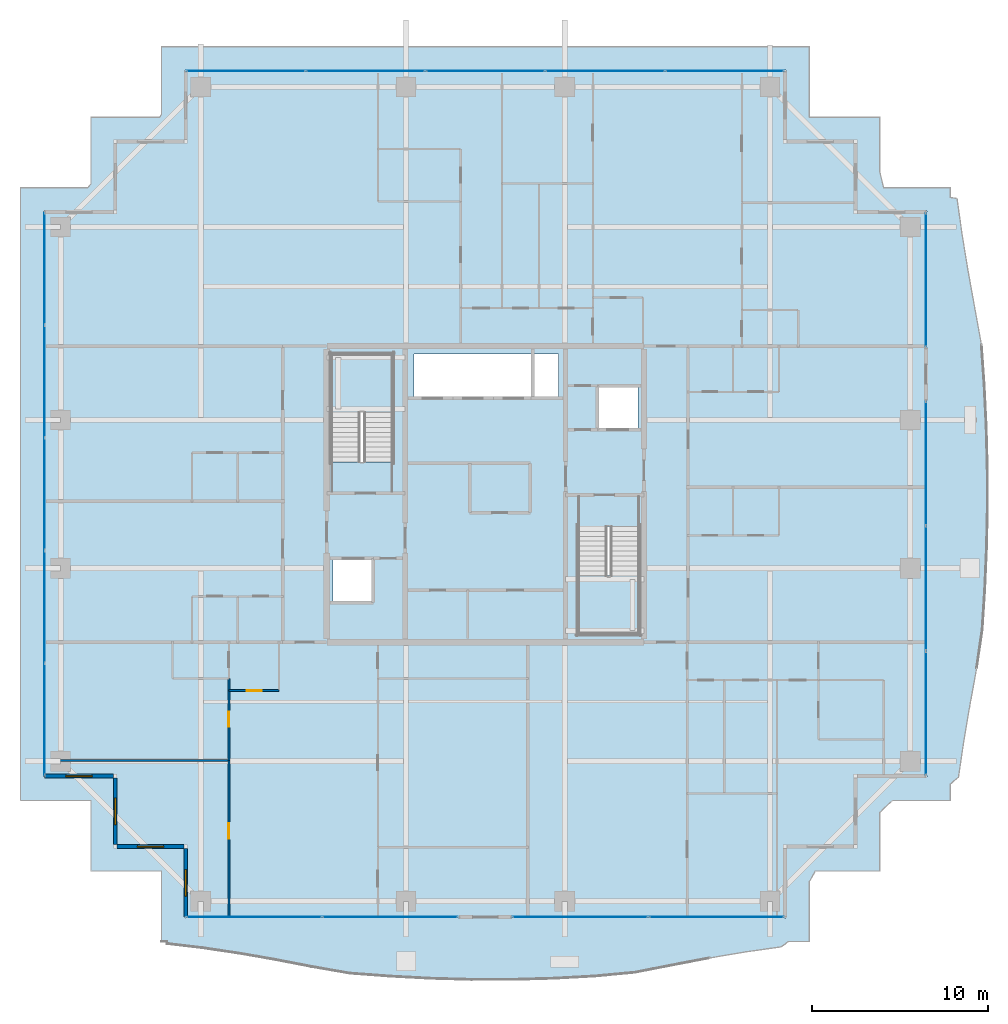
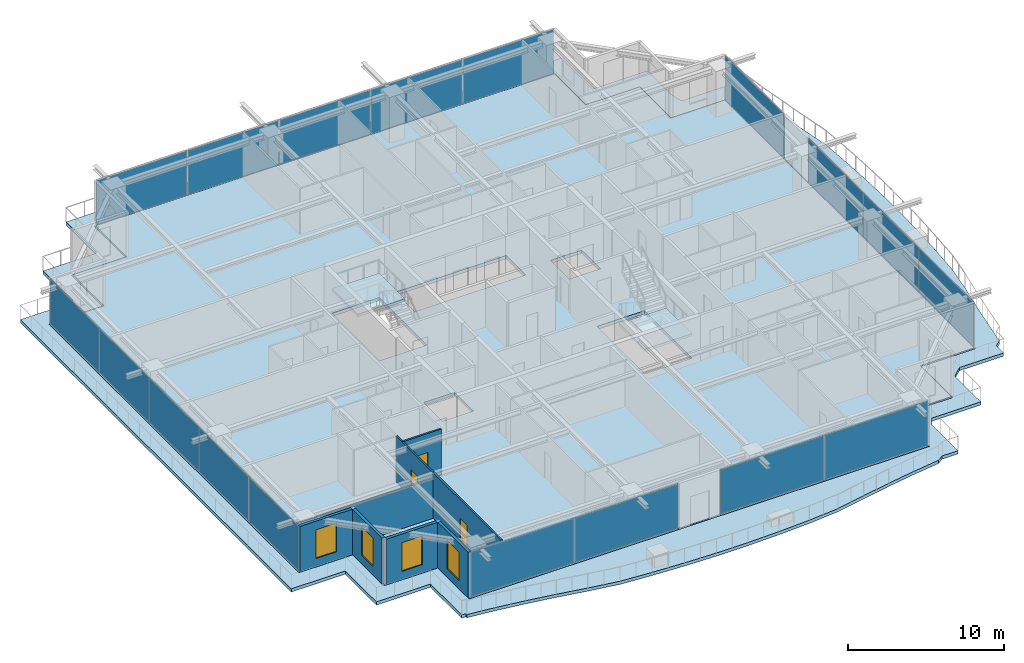
# One storey, part 25 of 37: 18 plates, 8 walls, 4 slabs, 4 windows, 3 doors, 7 openings, 8 elements without a shape of their own.
"""IFC4 building model written with IfcOpenShell, lengths in metres."""

from ifc_helpers import new_model, si_unit, direction, frame, frame_2d, origin, origin_2d, place, context, subcontext, project, spatial, polyline, rectangle, outline, extrude, source, transform, mapped, material, layer, layer_set, type_object, element, fill, aggregate, save


model = new_model("IFC4")

# Units and contexts
model_context = context("Model", 3, precision=1e-05, world=origin(), true_north=direction((0.0, 1.0)))
body_context = subcontext(model_context, "Body", "Model", "MODEL_VIEW")
ifc_project = project(units=[si_unit("LENGTHUNIT", "METRE"), si_unit("AREAUNIT", "SQUARE_METRE"), si_unit("VOLUMEUNIT", "CUBIC_METRE"), si_unit("PLANEANGLEUNIT", "RADIAN"), si_unit("MASSUNIT", "GRAM", prefix="KILO")], contexts=[model_context])

# Site, building, storey
site_placement = place(None, origin())
site = spatial("IfcSite", under=ifc_project, at=site_placement, CompositionType="ELEMENT")
building_placement = place(site_placement, origin())
building = spatial("IfcBuilding", under=site, at=building_placement, Name="Serunith Strait Residences", CompositionType="ELEMENT")
storey_placement = place(building_placement, frame((0.0, 0.0, 260.5)))
storey = spatial("IfcBuildingStorey", under=building, at=storey_placement, Name="L65", CompositionType="ELEMENT", Elevation=260.5)

# Slab
ifc_material_1 = material(Name="Concrete C50/60", Category="concrete")
ifc_layer_1 = layer(ifc_material_1, 0.239990234375, Name="Concrete C50/60")
ifc_layer_set_1 = layer_set([ifc_layer_1], Name="Concrete C50/60")
slab_type_1 = type_object("IfcSlabType", Name="SLB-BALC-240", PredefinedType="FLOOR", material=ifc_layer_set_1)
slab_1_placement = place(storey_placement, frame((0.0, 0.0, -0.2900390625)))
element("IfcSlab", 1, at=slab_1_placement, inside=storey, type_object=slab_type_1, Name="L65 Planted Vertical-Forest Balcony Slab", PredefinedType="FLOOR", context=body_context, shape_type="SweptSolid", body=[
    extrude(outline(polyline([(14.02001953125, -0.179931640625), (14.02001953125, 3.820068359375), (10.02001953125, 3.820068359375), (10.02001953125, 7.820068359375), (6.02001953125, 7.820068359375), (6.02001953125, 42.580078125), (9.824951171875, 42.580078125), (10.02001953125, 42.802001953125), (10.02001953125, 46.580078125), (13.9189453125, 46.580078125), (14.02001953125, 46.734619140625), (14.02001953125, 50.580078125), (50.780029296875, 50.580078125), (50.780029296875, 46.580078125), (54.780029296875, 46.580078125), (54.780029296875, 43.4599609375), (54.995361328125, 42.580078125), (58.780029296875, 42.580078125), (58.780029296875, 42.033203125), (59.159423828125, 41.96923828125), (59.444091796875, 39.939208984375), (59.78076171875, 37.886474609375), (60.15771484375, 35.794189453125), (60.5498046875, 33.64501953125), (60.708251953125, 31.380615234375), (60.821044921875, 29.084228515625), (60.88330078125, 26.7666015625), (60.889892578125, 24.440185546875), (60.84033203125, 22.118896484375), (60.739013671875, 19.815673828125), (60.594482421875, 17.54052734375), (60.27587890625, 15.3505859375), (59.891357421875, 13.2412109375), (59.541015625, 11.17724609375), (59.240234375, 9.140625), (58.780029296875, 8.750244140625), (58.780029296875, 7.820068359375), (55.49658203125, 7.820068359375), (54.780029296875, 7.149169921875), (54.780029296875, 3.820068359375), (51.115478515625, 3.820068359375), (50.780029296875, 3.2099609375), (50.780029296875, -0.179931640625), (49.60595703125, -0.179931640625), (49.167724609375, -0.48681640625), (47.145263671875, -0.7734375), (45.10302734375, -1.119873046875), (43.021728515625, -1.5166015625), (40.88037109375, -1.937255859375), (38.619873046875, -2.148681640625), (36.311279296875, -2.274658203125), (33.977783203125, -2.341552734375), (31.635009765625, -2.342529296875), (29.29931640625, -2.278076171875), (26.986083984375, -2.155029296875), (24.70654296875, -1.986328125), (22.533447265625, -1.607177734375), (20.43603515625, -1.203125), (18.3828125, -0.8447265625), (16.35400390625, -0.545166015625), (14.33447265625, -0.304443359375), (14.33544921875, -0.179931640625), (14.02001953125, -0.179931640625)]), holes=[polyline([(49.455078125, 1.14501953125), (49.455078125, 5.14501953125), (53.455078125, 5.14501953125), (53.455078125, 9.14501953125), (57.455078125, 9.14501953125), (57.455078125, 41.2548828125), (53.455078125, 41.2548828125), (53.455078125, 45.2548828125), (49.455078125, 45.2548828125), (49.455078125, 49.2548828125), (15.344970703125, 49.2548828125), (15.344970703125, 45.2548828125), (11.344970703125, 45.2548828125), (11.344970703125, 41.2548828125), (7.344970703125, 41.2548828125), (7.344970703125, 9.14501953125), (11.344970703125, 9.14501953125), (11.344970703125, 5.14501953125), (15.344970703125, 5.14501953125), (15.344970703125, 1.14501953125), (49.455078125, 1.14501953125)])]), origin(), (0.0, 0.0, 1.0), 0.239990234375),
])

# Stair, slab
stair_type_1 = type_object("IfcStairType", Name="STR-CORE-1", PredefinedType="HALF_TURN_STAIR", material=ifc_material_1)
stair_1_placement = place(storey_placement, origin())
stair_1 = element("IfcStair", 2, at=stair_1_placement, inside=storey, type_object=stair_type_1, Name="L65 Protected Escape Stair ST-1", PredefinedType="HALF_TURN_STAIR")
ifc_layer_2 = layer(ifc_material_1, 0.199951171875, Name="Concrete C50/60")
ifc_layer_set_2 = layer_set([ifc_layer_2], Name="Concrete C50/60")
slab_type_2 = type_object("IfcSlabType", Name="SLB-LAND-200", PredefinedType="LANDING", material=ifc_layer_set_2)
slab_2_placement = place(storey_placement, frame((0.0, 0.0, 1.72509765625)))
slab_2 = element("IfcSlab", 3, at=slab_2_placement, type_object=slab_type_2, Name="ST-1 landing 1", PredefinedType="LANDING", context=body_context, shape_type="SweptSolid", body=[
    extrude(outline(polyline([(27.14990234375, 29.830078125), (27.14990234375, 33.14990234375), (23.64990234375, 33.14990234375), (23.64990234375, 29.830078125), (27.14990234375, 29.830078125)])), origin(), (0.0, 0.0, 1.0), 0.199951171875),
])
aggregate(stair_1, [slab_2])

stair_type_2 = type_object("IfcStairType", Name="STR-CORE-2", PredefinedType="HALF_TURN_STAIR", material=ifc_material_1)
stair_2_placement = place(storey_placement, origin())
stair_2 = element("IfcStair", 4, at=stair_2_placement, inside=storey, type_object=stair_type_2, Name="L65 Protected Escape Stair ST-2", PredefinedType="HALF_TURN_STAIR")
slab_3_placement = place(storey_placement, frame((0.0, 0.0, 1.72509765625)))
slab_3 = element("IfcSlab", 5, at=slab_3_placement, type_object=slab_type_2, Name="ST-2 landing 1", PredefinedType="LANDING", context=body_context, shape_type="SweptSolid", body=[
    extrude(outline(polyline([(37.64990234375, 20.570068359375), (37.64990234375, 17.25), (41.14990234375, 17.25), (41.14990234375, 20.570068359375), (37.64990234375, 20.570068359375)])), origin(), (0.0, 0.0, 1.0), 0.199951171875),
])
aggregate(stair_2, [slab_3])

# Slab
ifc_material_2 = material(Name="Concrete C60/75", Category="concrete")
ifc_layer_3 = layer(ifc_material_2, 0.260009765625, Name="Concrete C60/75")
ifc_layer_set_3 = layer_set([ifc_layer_3], Name="Concrete C60/75")
slab_type_3 = type_object("IfcSlabType", Name="SLB-TWR-275-Z3", PredefinedType="FLOOR", material=ifc_layer_set_3)
slab_4_placement = place(storey_placement, frame((0.0, 0.0, -0.260009765625)))
element("IfcSlab", 6, at=slab_4_placement, inside=storey, type_object=slab_type_3, Name="L65 Structural Floor Plate", PredefinedType="FLOOR", context=body_context, shape_type="SweptSolid", body=[
    extrude(outline(polyline([(15.39990234375, 5.199951171875), (11.39990234375, 5.199951171875), (11.39990234375, 9.199951171875), (7.39990234375, 9.199951171875), (7.39990234375, 41.199951171875), (11.39990234375, 41.199951171875), (11.39990234375, 45.199951171875), (15.39990234375, 45.199951171875), (15.39990234375, 49.199951171875), (49.39990234375, 49.199951171875), (49.39990234375, 45.199951171875), (53.39990234375, 45.199951171875), (53.39990234375, 41.199951171875), (57.39990234375, 41.199951171875), (57.39990234375, 9.199951171875), (53.39990234375, 9.199951171875), (53.39990234375, 5.199951171875), (49.39990234375, 5.199951171875), (49.39990234375, 1.199951171875), (15.39990234375, 1.199951171875), (15.39990234375, 5.199951171875)]), holes=[polyline([(41.14990234375, 23.3701171875), (37.64990234375, 23.3701171875), (37.64990234375, 17.25), (41.14990234375, 17.25), (41.14990234375, 23.3701171875)]), polyline([(38.75, 31.25), (38.75, 28.85009765625), (41.050048828125, 28.85009765625), (41.050048828125, 31.25), (38.75, 31.25)]), polyline([(36.550048828125, 33.14990234375), (28.35009765625, 33.14990234375), (28.35009765625, 30.64990234375), (36.550048828125, 30.64990234375), (36.550048828125, 33.14990234375)]), polyline([(23.64990234375, 33.14990234375), (23.64990234375, 27.030029296875), (27.14990234375, 27.030029296875), (27.14990234375, 33.14990234375), (23.64990234375, 33.14990234375)]), polyline([(23.75, 21.550048828125), (23.75, 19.14990234375), (26.050048828125, 19.14990234375), (26.050048828125, 21.550048828125), (23.75, 21.550048828125)])]), origin(), (0.0, 0.0, 1.0), 0.260009765625),
])

# Curtain wall, plates
ifc_material_3 = material(Name="Pale-Champagne Anodised Aluminium", Category="aluminium")
ifc_layer_4 = layer(ifc_material_3, 0.199951171875, Name="Pale-Champagne Anodised Aluminium")
ifc_layer_set_4 = layer_set([ifc_layer_4], Name="Pale-Champagne Anodised Aluminium")
curtain_wall_type = type_object("IfcCurtainWallType", Name="CW-SYS4", PredefinedType="NOTDEFINED", material=ifc_layer_set_4)
curtain_wall_1_placement = place(storey_placement, origin())
curtain_wall_1 = element("IfcCurtainWall", 7, at=curtain_wall_1_placement, inside=storey, type_object=curtain_wall_type, Name="L65 S Unitised Fritted Curtain Wall", PredefinedType="NOTDEFINED")
ifc_material_4 = material(Name="Ceramic-Printed Solar-Control Glazing 28mm", Category="glass")
ifc_layer_5 = layer(ifc_material_4, 0.028076171875, Name="Ceramic-Printed Solar-Control Glazing 28mm")
ifc_layer_set_5 = layer_set([ifc_layer_5], Name="Ceramic-Printed Solar-Control Glazing 28mm")
plate_type = type_object("IfcPlateType", Name="CW-SYS4-PNL", PredefinedType="CURTAIN_PANEL", material=ifc_layer_set_5)
shared_shape_1 = source(origin(), body_context, "Body", "SweptSolid", [
    extrude(rectangle(XDim=7.652587890625, YDim=0.028076171875, at=origin_2d()), origin(), (0.0, 0.0, 1.0), 3.455078125),
])
plate_1_placement = place(storey_placement, frame((19.291259765625, 1.199951171875, 0.06005859375), z_axis=(0.0, 0.0, 1.0), x_axis=(1.0, 0.0, 0.0)))
plate_1 = element("IfcPlate", 8, at=plate_1_placement, type_object=plate_type, Name="CW-4 panel 1.1", PredefinedType="CURTAIN_PANEL", context=body_context, shape_type="MappedRepresentation", body=[
    mapped(shared_shape_1, transform((0.0, 0.0, 0.0), scale=1.0)),
])
plate_2_placement = place(storey_placement, frame((27.0087890625, 1.199951171875, 0.06005859375), z_axis=(0.0, 0.0, 1.0), x_axis=(1.0, 0.0, 0.0)))
plate_2 = element("IfcPlate", 9, at=plate_2_placement, type_object=plate_type, Name="CW-4 panel 2.1", PredefinedType="CURTAIN_PANEL", context=body_context, shape_type="MappedRepresentation", body=[
    mapped(shared_shape_1, transform((0.0, 0.0, 0.0), scale=1.0)),
])
aggregate(curtain_wall_1, [plate_1, plate_2])

curtain_wall_2_placement = place(storey_placement, origin())
curtain_wall_2 = element("IfcCurtainWall", 10, at=curtain_wall_2_placement, inside=storey, type_object=curtain_wall_type, Name="L65 S Unitised Fritted Curtain Wall", PredefinedType="NOTDEFINED")
plate_3_placement = place(storey_placement, frame((37.791259765625, 1.199951171875, 0.06005859375), z_axis=(0.0, 0.0, 1.0), x_axis=(1.0, 0.0, 0.0)))
plate_3 = element("IfcPlate", 11, at=plate_3_placement, type_object=plate_type, Name="CW-4 panel 1.1", PredefinedType="CURTAIN_PANEL", context=body_context, shape_type="MappedRepresentation", body=[
    mapped(shared_shape_1, transform((0.0, 0.0, 0.0), scale=1.0)),
])
plate_4_placement = place(storey_placement, frame((45.5087890625, 1.199951171875, 0.06005859375), z_axis=(0.0, 0.0, 1.0), x_axis=(1.0, 0.0, 0.0)))
plate_4 = element("IfcPlate", 12, at=plate_4_placement, type_object=plate_type, Name="CW-4 panel 2.1", PredefinedType="CURTAIN_PANEL", context=body_context, shape_type="MappedRepresentation", body=[
    mapped(shared_shape_1, transform((0.0, 0.0, 0.0), scale=1.0)),
])
aggregate(curtain_wall_2, [plate_3, plate_4])

curtain_wall_3_placement = place(storey_placement, origin())
curtain_wall_3 = element("IfcCurtainWall", 13, at=curtain_wall_3_placement, inside=storey, type_object=curtain_wall_type, Name="L65 W Unitised Fritted Curtain Wall", PredefinedType="NOTDEFINED")
shared_shape_2 = source(origin(), body_context, "Body", "SweptSolid", [
    extrude(rectangle(XDim=6.302490234375, YDim=0.028076171875, at=origin_2d()), origin(), (0.0, 0.0, 1.0), 3.455078125),
])
plate_5_placement = place(storey_placement, frame((7.39990234375, 37.983642578125, 0.06005859375), z_axis=(0.0, 0.0, 1.0), x_axis=(0.0, -1.0, 0.0)))
plate_5 = element("IfcPlate", 14, at=plate_5_placement, type_object=plate_type, Name="CW-4 panel 1.1", PredefinedType="CURTAIN_PANEL", context=body_context, shape_type="MappedRepresentation", body=[
    mapped(shared_shape_2, transform((0.0, 0.0, 0.0), scale=1.0)),
])
plate_6_placement = place(storey_placement, frame((7.39990234375, 12.416259765625, 0.06005859375), z_axis=(0.0, 0.0, 1.0), x_axis=(0.0, -1.0, 0.0)))
plate_6 = element("IfcPlate", 15, at=plate_6_placement, type_object=plate_type, Name="CW-4 panel 5.1", PredefinedType="CURTAIN_PANEL", context=body_context, shape_type="MappedRepresentation", body=[
    mapped(shared_shape_2, transform((0.0, 0.0, 0.0), scale=1.0)),
])
shared_shape_3 = source(origin(), body_context, "Body", "SweptSolid", [
    extrude(rectangle(XDim=6.3349609375, YDim=0.028076171875, at=origin_2d()), origin(), (0.0, 0.0, 1.0), 3.455078125),
])
plate_7_placement = place(storey_placement, frame((7.39990234375, 31.60009765625, 0.06005859375), z_axis=(0.0, 0.0, 1.0), x_axis=(0.0, -1.0, 0.0)))
plate_7 = element("IfcPlate", 16, at=plate_7_placement, type_object=plate_type, Name="CW-4 panel 2.1", PredefinedType="CURTAIN_PANEL", context=body_context, shape_type="MappedRepresentation", body=[
    mapped(shared_shape_3, transform((0.0, 0.0, 0.0), scale=1.0)),
])
plate_8_placement = place(storey_placement, frame((7.39990234375, 25.199951171875, 0.06005859375), z_axis=(0.0, 0.0, 1.0), x_axis=(0.0, -1.0, 0.0)))
plate_8 = element("IfcPlate", 17, at=plate_8_placement, type_object=plate_type, Name="CW-4 panel 3.1", PredefinedType="CURTAIN_PANEL", context=body_context, shape_type="MappedRepresentation", body=[
    mapped(shared_shape_3, transform((0.0, 0.0, 0.0), scale=1.0)),
])
plate_9_placement = place(storey_placement, frame((7.39990234375, 18.800048828125, 0.06005859375), z_axis=(0.0, 0.0, 1.0), x_axis=(0.0, -1.0, 0.0)))
plate_9 = element("IfcPlate", 18, at=plate_9_placement, type_object=plate_type, Name="CW-4 panel 4.1", PredefinedType="CURTAIN_PANEL", context=body_context, shape_type="MappedRepresentation", body=[
    mapped(shared_shape_3, transform((0.0, 0.0, 0.0), scale=1.0)),
])
aggregate(curtain_wall_3, [plate_5, plate_7, plate_8, plate_9, plate_6])

curtain_wall_4_placement = place(storey_placement, origin())
curtain_wall_4 = element("IfcCurtainWall", 19, at=curtain_wall_4_placement, inside=storey, type_object=curtain_wall_type, Name="L65 N Unitised Fritted Curtain Wall", PredefinedType="NOTDEFINED")
shared_shape_4 = source(origin(), body_context, "Body", "SweptSolid", [
    extrude(rectangle(XDim=6.702392578125, YDim=0.028076171875, at=origin_2d()), origin(), (0.0, 0.0, 1.0), 3.455078125),
])
plate_10_placement = place(storey_placement, frame((45.983642578125, 49.199951171875, 0.06005859375), z_axis=(0.0, 0.0, 1.0), x_axis=(-1.0, 0.0, 0.0)))
plate_10 = element("IfcPlate", 20, at=plate_10_placement, type_object=plate_type, Name="CW-4 panel 1.1", PredefinedType="CURTAIN_PANEL", context=body_context, shape_type="MappedRepresentation", body=[
    mapped(shared_shape_4, transform((0.0, 0.0, 0.0), scale=1.0)),
])
plate_11_placement = place(storey_placement, frame((18.816162109375, 49.199951171875, 0.06005859375), z_axis=(0.0, 0.0, 1.0), x_axis=(-1.0, 0.0, 0.0)))
plate_11 = element("IfcPlate", 21, at=plate_11_placement, type_object=plate_type, Name="CW-4 panel 5.1", PredefinedType="CURTAIN_PANEL", context=body_context, shape_type="MappedRepresentation", body=[
    mapped(shared_shape_4, transform((0.0, 0.0, 0.0), scale=1.0)),
])
shared_shape_5 = source(origin(), body_context, "Body", "SweptSolid", [
    extrude(rectangle(XDim=6.735107421875, YDim=0.028076171875, at=origin_2d()), origin(), (0.0, 0.0, 1.0), 3.455078125),
])
plate_12_placement = place(storey_placement, frame((39.199951171875, 49.199951171875, 0.06005859375), z_axis=(0.0, 0.0, 1.0), x_axis=(-1.0, 0.0, 0.0)))
plate_12 = element("IfcPlate", 22, at=plate_12_placement, type_object=plate_type, Name="CW-4 panel 2.1", PredefinedType="CURTAIN_PANEL", context=body_context, shape_type="MappedRepresentation", body=[
    mapped(shared_shape_5, transform((0.0, 0.0, 0.0), scale=1.0)),
])
plate_13_placement = place(storey_placement, frame((32.39990234375, 49.199951171875, 0.06005859375), z_axis=(0.0, 0.0, 1.0), x_axis=(-1.0, 0.0, 0.0)))
plate_13 = element("IfcPlate", 23, at=plate_13_placement, type_object=plate_type, Name="CW-4 panel 3.1", PredefinedType="CURTAIN_PANEL", context=body_context, shape_type="MappedRepresentation", body=[
    mapped(shared_shape_5, transform((0.0, 0.0, 0.0), scale=1.0)),
])
plate_14_placement = place(storey_placement, frame((25.60009765625, 49.199951171875, 0.06005859375), z_axis=(0.0, 0.0, 1.0), x_axis=(-1.0, 0.0, 0.0)))
plate_14 = element("IfcPlate", 24, at=plate_14_placement, type_object=plate_type, Name="CW-4 panel 4.1", PredefinedType="CURTAIN_PANEL", context=body_context, shape_type="MappedRepresentation", body=[
    mapped(shared_shape_5, transform((0.0, 0.0, 0.0), scale=1.0)),
])
aggregate(curtain_wall_4, [plate_10, plate_12, plate_13, plate_14, plate_11])

curtain_wall_5_placement = place(storey_placement, origin())
curtain_wall_5 = element("IfcCurtainWall", 25, at=curtain_wall_5_placement, inside=storey, type_object=curtain_wall_type, Name="L65 E Unitised Fritted Curtain Wall", PredefinedType="NOTDEFINED")
shared_shape_6 = source(origin(), body_context, "Body", "SweptSolid", [
    extrude(rectangle(XDim=7.00244140625, YDim=0.028076171875, at=origin_2d()), origin(), (0.0, 0.0, 1.0), 3.455078125),
])
plate_15_placement = place(storey_placement, frame((57.39990234375, 12.766357421875, 0.06005859375), z_axis=(0.0, 0.0, 1.0), x_axis=(0.0, 1.0, 0.0)))
plate_15 = element("IfcPlate", 26, at=plate_15_placement, type_object=plate_type, Name="CW-4 panel 1.1", PredefinedType="CURTAIN_PANEL", context=body_context, shape_type="MappedRepresentation", body=[
    mapped(shared_shape_6, transform((0.0, 0.0, 0.0), scale=1.0)),
])
plate_16_placement = place(storey_placement, frame((57.39990234375, 26.933837890625, 0.06005859375), z_axis=(0.0, 0.0, 1.0), x_axis=(0.0, 1.0, 0.0)))
plate_16 = element("IfcPlate", 27, at=plate_16_placement, type_object=plate_type, Name="CW-4 panel 3.1", PredefinedType="CURTAIN_PANEL", context=body_context, shape_type="MappedRepresentation", body=[
    mapped(shared_shape_6, transform((0.0, 0.0, 0.0), scale=1.0)),
])
shared_shape_7 = source(origin(), body_context, "Body", "SweptSolid", [
    extrude(rectangle(XDim=7.034912109375, YDim=0.028076171875, at=origin_2d()), origin(), (0.0, 0.0, 1.0), 3.455078125),
])
plate_17_placement = place(storey_placement, frame((57.39990234375, 19.85009765625, 0.06005859375), z_axis=(0.0, 0.0, 1.0), x_axis=(0.0, 1.0, 0.0)))
plate_17 = element("IfcPlate", 28, at=plate_17_placement, type_object=plate_type, Name="CW-4 panel 2.1", PredefinedType="CURTAIN_PANEL", context=body_context, shape_type="MappedRepresentation", body=[
    mapped(shared_shape_7, transform((0.0, 0.0, 0.0), scale=1.0)),
])
aggregate(curtain_wall_5, [plate_15, plate_17, plate_16])

# Curtain wall, plate
curtain_wall_6_placement = place(storey_placement, origin())
curtain_wall_6 = element("IfcCurtainWall", 29, at=curtain_wall_6_placement, inside=storey, type_object=curtain_wall_type, Name="L65 E Unitised Fritted Curtain Wall", PredefinedType="NOTDEFINED")
shared_shape_8 = source(origin(), body_context, "Body", "SweptSolid", [
    extrude(rectangle(XDim=7.570068359375, YDim=0.028076171875, at=origin_2d()), origin(), (0.0, 0.0, 1.0), 3.455078125),
])
plate_18_placement = place(storey_placement, frame((57.39990234375, 37.35009765625, 0.06005859375), z_axis=(0.0, 0.0, 1.0), x_axis=(0.0, 1.0, 0.0)))
plate_18 = element("IfcPlate", 30, at=plate_18_placement, type_object=plate_type, Name="CW-4 panel 1.1", PredefinedType="CURTAIN_PANEL", context=body_context, shape_type="MappedRepresentation", body=[
    mapped(shared_shape_8, transform((0.0, 0.0, 0.0), scale=1.0)),
])
aggregate(curtain_wall_6, [plate_18])

# Wall, opening, window
ifc_material_5 = material(Name="Pale-Champagne Aluminium Insulated Panel", Category="aluminium")
ifc_layer_6 = layer(ifc_material_5, 0.219970703125, Name="Pale-Champagne Aluminium Insulated Panel")
ifc_layer_set_6 = layer_set([ifc_layer_6], Name="Pale-Champagne Aluminium Insulated Panel")
wall_type_1 = type_object("IfcWallType", Name="EW-ALUM-220", PredefinedType="ELEMENTEDWALL", material=ifc_layer_set_6)
wall_1_placement = place(storey_placement, frame((7.39990234375, 9.199951171875, 0.0), z_axis=(0.0, 0.0, 1.0), x_axis=(1.0, 0.0, 0.0)))
wall_1 = element("IfcWall", 31, at=wall_1_placement, inside=storey, type_object=wall_type_1, Name="L65 Girih Serrated Corner Wall 17", PredefinedType="ELEMENTEDWALL", context=body_context, shape_type="SweptSolid", body=[
    extrude(rectangle(XDim=3.89013671875, YDim=0.219970703125, at=frame_2d((1.945068359375, 0.0))), origin(), (0.0, 0.0, 1.0), 3.574951171875),
])
opening_1_placement = place(wall_1_placement, frame((1.195068359375, 0.0, 0.64990234375)))
opening_1 = element("IfcOpeningElement", 32, at=opening_1_placement, cuts=wall_1, Name="Opening W-05", PredefinedType="OPENING", context=body_context, shape_type="SweptSolid", body=[
    extrude(rectangle(XDim=1.5, YDim=2.25, at=frame_2d((0.75, 1.125))), frame((0.0, 0.1201171875, 0.0), z_axis=(0.0, -1.0, 0.0), x_axis=(1.0, 0.0, 0.0)), (0.0, 0.0, 1.0), 0.239990234375),
])
ifc_material_6 = material(Name="Ceramic-Fritted Operable Aluminium Window Glass", Category="aluminium")
window_type = type_object("IfcWindowType", Name="WIN-C5", PartitioningType="DOUBLE_PANEL_VERTICAL", PredefinedType="WINDOW", material=ifc_material_6)
shared_shape_9 = source(origin(), body_context, "Body", "SweptSolid", [
    extrude(rectangle(XDim=1.5, YDim=2.25, at=frame_2d((0.75, 1.125))), frame((0.0, 0.030029296875, 0.0), z_axis=(0.0, -1.0, 0.0), x_axis=(1.0, 0.0, 0.0)), (0.0, 0.0, 1.0), 0.06005859375),
])
window_1_placement = place(opening_1_placement, origin())
window_1 = element("IfcWindow", 33, at=window_1_placement, inside=storey, type_object=window_type, Name="L65 Corner Operable Fritted Window 17", OverallHeight=2.25, OverallWidth=1.5, PartitioningType="SINGLE_PANEL", PredefinedType="WINDOW", context=body_context, shape_type="MappedRepresentation", body=[
    mapped(shared_shape_9, transform((0.0, 0.0, 0.0), scale=1.0)),
])
fill(opening_1, window_1)

wall_2_placement = place(storey_placement, frame((11.39990234375, 9.090087890625, 0.0), z_axis=(0.0, 0.0, 1.0), x_axis=(0.0, -1.0, 0.0)))
wall_2 = element("IfcWall", 34, at=wall_2_placement, inside=storey, type_object=wall_type_1, Name="L65 Girih Serrated Corner Wall 18", PredefinedType="ELEMENTEDWALL", context=body_context, shape_type="SweptSolid", body=[
    extrude(rectangle(XDim=3.780029296875, YDim=0.219970703125, at=frame_2d((1.89013671875, 0.0))), origin(), (0.0, 0.0, 1.0), 3.574951171875),
])
opening_2_placement = place(wall_2_placement, frame((1.139892578125, 0.0, 0.64990234375)))
opening_2 = element("IfcOpeningElement", 35, at=opening_2_placement, cuts=wall_2, Name="Opening W-05", PredefinedType="OPENING", context=body_context, shape_type="SweptSolid", body=[
    extrude(rectangle(XDim=1.5, YDim=2.25, at=frame_2d((0.75, 1.125))), frame((0.0, 0.1201171875, 0.0), z_axis=(0.0, -1.0, 0.0), x_axis=(1.0, 0.0, 0.0)), (0.0, 0.0, 1.0), 0.239990234375),
])
window_2_placement = place(opening_2_placement, origin())
window_2 = element("IfcWindow", 36, at=window_2_placement, inside=storey, type_object=window_type, Name="L65 Corner Operable Fritted Window 18", OverallHeight=2.25, OverallWidth=1.5, PartitioningType="SINGLE_PANEL", PredefinedType="WINDOW", context=body_context, shape_type="MappedRepresentation", body=[
    mapped(shared_shape_9, transform((0.0, 0.0, 0.0), scale=1.0)),
])
fill(opening_2, window_2)

wall_3_placement = place(storey_placement, frame((11.510009765625, 5.199951171875, 0.0), z_axis=(0.0, 0.0, 1.0), x_axis=(1.0, 0.0, 0.0)))
wall_3 = element("IfcWall", 37, at=wall_3_placement, inside=storey, type_object=wall_type_1, Name="L65 Girih Serrated Corner Wall 19", PredefinedType="ELEMENTEDWALL", context=body_context, shape_type="SweptSolid", body=[
    extrude(rectangle(XDim=3.780029296875, YDim=0.219970703125, at=frame_2d((1.89013671875, 0.0))), origin(), (0.0, 0.0, 1.0), 3.574951171875),
])
opening_3_placement = place(wall_3_placement, frame((1.139892578125, 0.0, 0.64990234375)))
opening_3 = element("IfcOpeningElement", 38, at=opening_3_placement, cuts=wall_3, Name="Opening W-05", PredefinedType="OPENING", context=body_context, shape_type="SweptSolid", body=[
    extrude(rectangle(XDim=1.5, YDim=2.25, at=frame_2d((0.75, 1.125))), frame((0.0, 0.1201171875, 0.0), z_axis=(0.0, -1.0, 0.0), x_axis=(1.0, 0.0, 0.0)), (0.0, 0.0, 1.0), 0.239990234375),
])
window_3_placement = place(opening_3_placement, origin())
window_3 = element("IfcWindow", 39, at=window_3_placement, inside=storey, type_object=window_type, Name="L65 Corner Operable Fritted Window 19", OverallHeight=2.25, OverallWidth=1.5, PartitioningType="SINGLE_PANEL", PredefinedType="WINDOW", context=body_context, shape_type="MappedRepresentation", body=[
    mapped(shared_shape_9, transform((0.0, 0.0, 0.0), scale=1.0)),
])
fill(opening_3, window_3)

wall_4_placement = place(storey_placement, frame((15.39990234375, 5.090087890625, 0.0), z_axis=(0.0, 0.0, 1.0), x_axis=(0.0, -1.0, 0.0)))
wall_4 = element("IfcWall", 40, at=wall_4_placement, inside=storey, type_object=wall_type_1, Name="L65 Girih Serrated Corner Wall 20", PredefinedType="ELEMENTEDWALL", context=body_context, shape_type="SweptSolid", body=[
    extrude(rectangle(XDim=3.89013671875, YDim=0.219970703125, at=frame_2d((1.945068359375, 0.0))), origin(), (0.0, 0.0, 1.0), 3.574951171875),
])
opening_4_placement = place(wall_4_placement, frame((1.195068359375, 0.0, 0.64990234375)))
opening_4 = element("IfcOpeningElement", 41, at=opening_4_placement, cuts=wall_4, Name="Opening W-05", PredefinedType="OPENING", context=body_context, shape_type="SweptSolid", body=[
    extrude(rectangle(XDim=1.5, YDim=2.25, at=frame_2d((0.75, 1.125))), frame((0.0, 0.1201171875, 0.0), z_axis=(0.0, -1.0, 0.0), x_axis=(1.0, 0.0, 0.0)), (0.0, 0.0, 1.0), 0.239990234375),
])
window_4_placement = place(opening_4_placement, origin())
window_4 = element("IfcWindow", 42, at=window_4_placement, inside=storey, type_object=window_type, Name="L65 Corner Operable Fritted Window 20", OverallHeight=2.25, OverallWidth=1.5, PartitioningType="SINGLE_PANEL", PredefinedType="WINDOW", context=body_context, shape_type="MappedRepresentation", body=[
    mapped(shared_shape_9, transform((0.0, 0.0, 0.0), scale=1.0)),
])
fill(opening_4, window_4)

# Wall, opening, door
ifc_material_7 = material(Name="Lightweight steel-stud gypsum partition", Category="steel")
ifc_layer_7 = layer(ifc_material_7, 0.1201171875, Name="Lightweight steel-stud gypsum partition")
ifc_layer_set_7 = layer_set([ifc_layer_7], Name="Lightweight steel-stud gypsum partition")
wall_type_2 = type_object("IfcWallType", Name="IW-PART-120", PredefinedType="PARTITIONING", material=ifc_layer_set_7)
wall_5_placement = place(storey_placement, frame((17.85009765625, 14.050048828125, 0.0), z_axis=(0.0, 0.0, 1.0), x_axis=(1.0, 0.0, 0.0)))
wall_5 = element("IfcWall", 43, at=wall_5_placement, inside=storey, type_object=wall_type_2, Name="L65 Partition Wall 032", PredefinedType="PARTITIONING", context=body_context, shape_type="SweptSolid", body=[
    extrude(rectangle(XDim=2.849853515625, YDim=0.1201171875, at=frame_2d((1.4248046875, 0.0))), origin(), (0.0, 0.0, 1.0), 3.590087890625),
])
opening_5_placement = place(wall_5_placement, frame((1.0, 0.0, 0.0)))
opening_5 = element("IfcOpeningElement", 44, at=opening_5_placement, cuts=wall_5, Name="Opening D-RM850", PredefinedType="OPENING", context=body_context, shape_type="SweptSolid", body=[
    extrude(rectangle(XDim=0.85009765625, YDim=2.10009765625, at=frame_2d((0.425048828125, 1.050048828125))), frame((0.0, 0.070068359375, 0.0), z_axis=(0.0, -1.0, 0.0), x_axis=(1.0, 0.0, 0.0)), (0.0, 0.0, 1.0), 0.14013671875),
])
ifc_material_8 = material(Name="Engineered timber flush study and kitchen door", Category="wood")
door_type_1 = type_object("IfcDoorType", Name="ID-ROOM-850", OperationType="NOTDEFINED", PredefinedType="DOOR", material=ifc_material_8)
shared_shape_10 = source(origin(), body_context, "Body", "SweptSolid", [
    extrude(rectangle(XDim=0.85009765625, YDim=2.10009765625, at=frame_2d((0.425048828125, 1.050048828125))), frame((0.0, 0.02490234375, 0.0), z_axis=(0.0, -1.0, 0.0), x_axis=(1.0, 0.0, 0.0)), (0.0, 0.0, 1.0), 0.050048828125),
])
door_1_placement = place(opening_5_placement, origin())
door_1 = element("IfcDoor", 45, at=door_1_placement, inside=storey, type_object=door_type_1, Name="L65 Kitchen 6501 Door", OperationType="SINGLE_SWING_LEFT", OverallHeight=2.10009765625, OverallWidth=0.85009765625, PredefinedType="DOOR", context=body_context, shape_type="MappedRepresentation", body=[
    mapped(shared_shape_10, transform((0.0, 0.0, 0.0), scale=1.0)),
])
fill(opening_5, door_1)

wall_6_placement = place(storey_placement, frame((17.85009765625, 1.294921875, 0.0), z_axis=(0.0, 0.0, 1.0), x_axis=(0.0, 1.0, 0.0)))
wall_6 = element("IfcWall", 46, at=wall_6_placement, inside=storey, type_object=wall_type_2, Name="L65 Partition Wall 034", PredefinedType="PARTITIONING", context=body_context, shape_type="SweptSolid", body=[
    extrude(rectangle(XDim=8.799072265625, YDim=0.1201171875, at=frame_2d((4.3994140625, 0.0))), origin(), (0.0, 0.0, 1.0), 3.590087890625),
])
opening_6_placement = place(wall_6_placement, frame((4.343994140625, 0.0, 0.0)))
opening_6 = element("IfcOpeningElement", 47, at=opening_6_placement, cuts=wall_6, Name="Opening D-RM900", PredefinedType="OPENING", context=body_context, shape_type="SweptSolid", body=[
    extrude(rectangle(XDim=0.89990234375, YDim=2.10009765625, at=frame_2d((0.449951171875, 1.050048828125))), frame((0.0, 0.070068359375, 0.0), z_axis=(0.0, -1.0, 0.0), x_axis=(1.0, 0.0, 0.0)), (0.0, 0.0, 1.0), 0.14013671875),
])
ifc_material_9 = material(Name="Engineered timber flush bedroom door", Category="wood")
door_type_2 = type_object("IfcDoorType", Name="ID-ROOM-900", OperationType="NOTDEFINED", PredefinedType="DOOR", material=ifc_material_9)
shared_shape_11 = source(origin(), body_context, "Body", "SweptSolid", [
    extrude(rectangle(XDim=0.89990234375, YDim=2.10009765625, at=frame_2d((0.449951171875, 1.050048828125))), frame((0.0, 0.02490234375, 0.0), z_axis=(0.0, -1.0, 0.0), x_axis=(1.0, 0.0, 0.0)), (0.0, 0.0, 1.0), 0.050048828125),
])
door_2_placement = place(opening_6_placement, origin())
door_2 = element("IfcDoor", 48, at=door_2_placement, inside=storey, type_object=door_type_2, Name="L65 Master Bedroom 1 6501 Door", OperationType="SINGLE_SWING_RIGHT", OverallHeight=2.10009765625, OverallWidth=0.89990234375, PredefinedType="DOOR", context=body_context, shape_type="MappedRepresentation", body=[
    mapped(shared_shape_11, transform((0.0, 0.0, 0.0), scale=1.0)),
])
fill(opening_6, door_2)

# Wall
wall_7_placement = place(storey_placement, frame((7.4951171875, 10.093994140625, 0.0), z_axis=(0.0, 0.0, 1.0), x_axis=(1.0, 0.0, 0.0)))
element("IfcWall", 49, at=wall_7_placement, inside=storey, type_object=wall_type_2, Name="L65 Partition Wall 035", PredefinedType="PARTITIONING", context=body_context, shape_type="SweptSolid", body=[
    extrude(rectangle(XDim=10.35498046875, YDim=0.1201171875, at=frame_2d((5.177490234375, 0.0))), origin(), (0.0, 0.0, 1.0), 3.1220703125),
])

# Wall, opening, door
wall_8_placement = place(storey_placement, frame((17.85009765625, 10.095947265625, 0.0), z_axis=(0.0, 0.0, 1.0), x_axis=(0.0, 1.0, 0.0)))
wall_8 = element("IfcWall", 50, at=wall_8_placement, inside=storey, type_object=wall_type_2, Name="L65 Partition Wall 038", PredefinedType="PARTITIONING", context=body_context, shape_type="SweptSolid", body=[
    extrude(rectangle(XDim=4.654052734375, YDim=0.1201171875, at=frame_2d((2.3271484375, 0.0))), origin(), (0.0, 0.0, 1.0), 3.590087890625),
])
opening_7_placement = place(wall_8_placement, frame((1.902099609375, 0.0, 0.0)))
opening_7 = element("IfcOpeningElement", 51, at=opening_7_placement, cuts=wall_8, Name="Opening D-RM850", PredefinedType="OPENING", context=body_context, shape_type="SweptSolid", body=[
    extrude(rectangle(XDim=0.85009765625, YDim=2.10009765625, at=frame_2d((0.425048828125, 1.050048828125))), frame((0.0, 0.070068359375, 0.0), z_axis=(0.0, -1.0, 0.0), x_axis=(1.0, 0.0, 0.0)), (0.0, 0.0, 1.0), 0.14013671875),
])
door_3_placement = place(opening_7_placement, origin())
door_3 = element("IfcDoor", 52, at=door_3_placement, inside=storey, type_object=door_type_1, Name="L65 Walk-in Wardrobe 6501 Door", OperationType="SINGLE_SWING_LEFT", OverallHeight=2.10009765625, OverallWidth=0.85009765625, PredefinedType="DOOR", context=body_context, shape_type="MappedRepresentation", body=[
    mapped(shared_shape_10, transform((0.0, 0.0, 0.0), scale=1.0)),
])
fill(opening_7, door_3)

save(model, "model.ifc")
